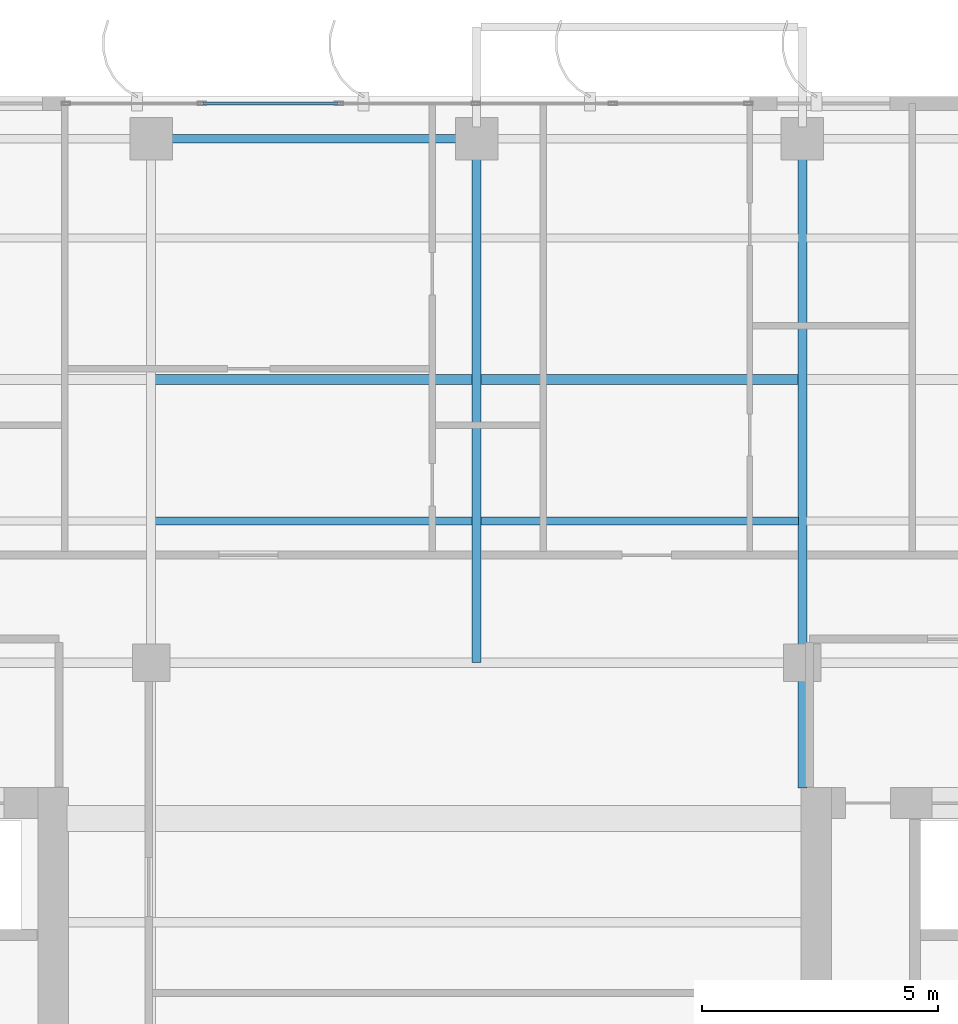
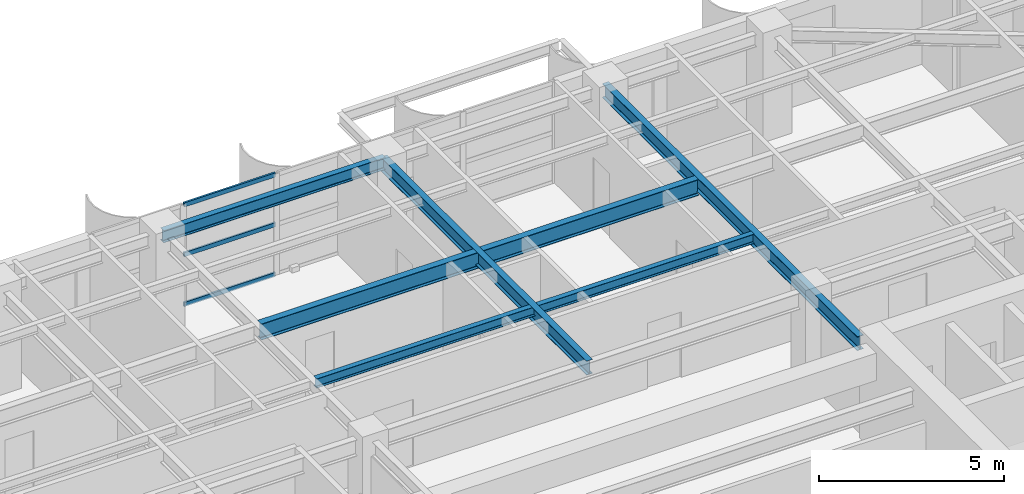
# One storey, part 13 of 23: 5 beams, 3 members, 1 element without a shape of its own.
"""IFC4 building model written with IfcOpenShell, lengths in metres."""

from ifc_helpers import new_model, si_unit, direction, frame, origin, origin_2d, place, context, subcontext, project, spatial, hollow_rectangle, i_section, extrude, source, transform, mapped, material, layer, layer_set, material_profile, profile_set, type_object, element, aggregate, save


model = new_model("IFC4")

# Units and contexts
model_context = context("Model", 3, precision=1e-05, world=origin(), true_north=direction((0.0, 1.0)))
body_context = subcontext(model_context, "Body", "Model", "MODEL_VIEW")
ifc_project = project(units=[si_unit("LENGTHUNIT", "METRE"), si_unit("AREAUNIT", "SQUARE_METRE"), si_unit("VOLUMEUNIT", "CUBIC_METRE"), si_unit("PLANEANGLEUNIT", "RADIAN"), si_unit("MASSUNIT", "GRAM", prefix="KILO")], contexts=[model_context])

# Site, building, storey
site_placement = place(None, origin())
site = spatial("IfcSite", under=ifc_project, at=site_placement, CompositionType="ELEMENT")
building_placement = place(site_placement, origin())
building = spatial("IfcBuilding", under=site, at=building_placement, Name="Khoralis Quay Care Tower", CompositionType="ELEMENT")
storey_placement = place(building_placement, frame((0.0, 0.0, 173.699951171875)))
storey = spatial("IfcBuildingStorey", under=building, at=storey_placement, Name="L45", CompositionType="ELEMENT", Elevation=173.699951171875)

# Beams
ifc_material_1 = material(Name="Steel S355", Category="steel")
ifc_material_profile_1 = material_profile(ifc_material_1, i_section(OverallWidth=0.179931640625, OverallDepth=0.39990234375, WebThickness=0.008544921875, FlangeThickness=0.013427734375, FilletRadius=0.02099609375, at=origin_2d()), Name="Steel S355")
ifc_profile_set_1 = profile_set([ifc_material_profile_1], Name="Steel S355")
beam_type_1 = type_object("IfcBeamType", Name="BM-IPE400", PredefinedType="SPANDREL", material=ifc_profile_set_1)
shared_shape_1 = source(origin(), body_context, "Body", "SweptSolid", [
    extrude(i_section(OverallWidth=0.179931640625, OverallDepth=0.39990234375, WebThickness=0.008544921875, FlangeThickness=0.013427734375, FilletRadius=0.02099609375, at=origin_2d()), origin(), (0.0, 0.0, 1.0), 6.89990234375),
])
beam_1_placement = place(storey_placement, frame((17.10009765625, 41.10009765625, 3.14013671875), z_axis=(1.0, 0.0, 0.0), x_axis=(0.0, 1.0, 0.0)))
element("IfcBeam", 1, at=beam_1_placement, inside=storey, type_object=beam_type_1, Name="BM-TSP-L45-06", PredefinedType="SPANDREL", context=body_context, shape_type="MappedRepresentation", body=[
    mapped(shared_shape_1, transform((0.0, 0.0, 0.0), scale=1.0)),
])
ifc_material_profile_2 = material_profile(ifc_material_1, i_section(OverallWidth=0.208984375, OverallDepth=0.532958984375, WebThickness=0.01025390625, FlangeThickness=0.015625, FilletRadius=0.01611328125, at=origin_2d()), Name="Steel S355")
ifc_profile_set_2 = profile_set([ifc_material_profile_2], Name="Steel S355")
beam_type_2 = type_object("IfcBeamType", Name="BM-W530X92", PredefinedType="BEAM", material=ifc_profile_set_2)
shared_shape_2 = source(origin(), body_context, "Body", "SweptSolid", [
    extrude(i_section(OverallWidth=0.208984375, OverallDepth=0.532958984375, WebThickness=0.01025390625, FlangeThickness=0.015625, FilletRadius=0.01611328125, at=origin_2d()), origin(), (0.0, 0.0, 1.0), 13.6318359375),
])
beam_2_placement = place(storey_placement, frame((17.18408203125, 36.0, 3.073486328125), z_axis=(1.0, 0.0, 0.0), x_axis=(0.0, 1.0, 0.0)))
element("IfcBeam", 2, at=beam_2_placement, inside=storey, type_object=beam_type_2, Name="BM-TGCC-L45-360", PredefinedType="BEAM", context=body_context, shape_type="MappedRepresentation", body=[
    mapped(shared_shape_2, transform((0.0, 0.0, 0.0), scale=1.0)),
])
ifc_material_profile_3 = material_profile(ifc_material_1, i_section(OverallWidth=0.19189453125, OverallDepth=0.462890625, WebThickness=0.010498046875, FlangeThickness=0.017578125, FilletRadius=0.014892578125, at=origin_2d()), Name="Steel S355")
ifc_profile_set_3 = profile_set([ifc_material_profile_3], Name="Steel S355")
beam_type_3 = type_object("IfcBeamType", Name="BM-W460X89", PredefinedType="BEAM", material=ifc_profile_set_3)
shared_shape_3 = source(origin(), body_context, "Body", "SweptSolid", [
    extrude(i_section(OverallWidth=0.19189453125, OverallDepth=0.462890625, WebThickness=0.010498046875, FlangeThickness=0.017578125, FilletRadius=0.014892578125, at=origin_2d()), origin(), (0.0, 0.0, 1.0), 11.10009765625),
])
beam_3_placement = place(storey_placement, frame((24.0, 30.0, 3.108642578125), z_axis=(0.0, 1.0, 0.0), x_axis=(-1.0, 0.0, 0.0)))
element("IfcBeam", 3, at=beam_3_placement, inside=storey, type_object=beam_type_3, Name="BM-TGYN-L45-240", PredefinedType="BEAM", context=body_context, shape_type="MappedRepresentation", body=[
    mapped(shared_shape_3, transform((0.0, 0.0, 0.0), scale=1.0)),
])
shared_shape_4 = source(origin(), body_context, "Body", "SweptSolid", [
    extrude(i_section(OverallWidth=0.19189453125, OverallDepth=0.462890625, WebThickness=0.010498046875, FlangeThickness=0.017578125, FilletRadius=0.014892578125, at=origin_2d()), origin(), (0.0, 0.0, 1.0), 13.752197265625),
])
beam_4_placement = place(storey_placement, frame((30.89990234375, 27.347900390625, 3.108642578125), z_axis=(0.0, 1.0, 0.0), x_axis=(-1.0, 0.0, 0.0)))
element("IfcBeam", 4, at=beam_4_placement, inside=storey, type_object=beam_type_3, Name="BM-TGYN-L45-309", PredefinedType="BEAM", context=body_context, shape_type="MappedRepresentation", body=[
    mapped(shared_shape_4, transform((0.0, 0.0, 0.0), scale=1.0)),
])
ifc_material_profile_4 = material_profile(ifc_material_1, i_section(OverallWidth=0.1650390625, OverallDepth=0.31005859375, WebThickness=0.005859375, FlangeThickness=0.009765625, FilletRadius=0.011962890625, at=origin_2d()), Name="Steel S355")
ifc_profile_set_4 = profile_set([ifc_material_profile_4], Name="Steel S355")
beam_type_4 = type_object("IfcBeamType", Name="BM-W310X39", PredefinedType="JOIST", material=ifc_profile_set_4)
shared_shape_5 = source(origin(), body_context, "Body", "SweptSolid", [
    extrude(i_section(OverallWidth=0.1650390625, OverallDepth=0.31005859375, WebThickness=0.005859375, FlangeThickness=0.009765625, FilletRadius=0.011962890625, at=origin_2d()), origin(), (0.0, 0.0, 1.0), 13.6318359375),
])
beam_5_placement = place(storey_placement, frame((17.18408203125, 33.0, 3.18505859375), z_axis=(1.0, 0.0, 0.0), x_axis=(0.0, 1.0, 0.0)))
element("IfcBeam", 5, at=beam_5_placement, inside=storey, type_object=beam_type_4, Name="BM-TJS-L45-28", PredefinedType="JOIST", context=body_context, shape_type="MappedRepresentation", body=[
    mapped(shared_shape_5, transform((0.0, 0.0, 0.0), scale=1.0)),
])

# Curtain wall, members
ifc_material_2 = material(Name="Pale anodised aluminium", Category="aluminium")
ifc_layer = layer(ifc_material_2, 0.159912109375)
ifc_layer_set = layer_set([ifc_layer], Name="Pale anodised aluminium")
curtain_wall_type = type_object("IfcCurtainWallType", Name="CW-SYS-Z3", PredefinedType="NOTDEFINED", material=ifc_layer_set)
curtain_wall_placement = place(storey_placement, origin())
curtain_wall = element("IfcCurtainWall", 6, at=curtain_wall_placement, inside=storey, type_object=curtain_wall_type, Name="L45 Unitised Curtain Wall CW-L45-P1-E10", PredefinedType="NOTDEFINED")
ifc_material_profile_5 = material_profile(ifc_material_2, hollow_rectangle(XDim=0.06005859375, YDim=0.139892578125, WallThickness=0.00390625, at=origin_2d()), Name="Pale anodised aluminium")
ifc_profile_set_5 = profile_set([ifc_material_profile_5], Name="Pale anodised aluminium")
member_type = type_object("IfcMemberType", Name="CW-TRN-140", PredefinedType="USERDEFINED", material=ifc_profile_set_5)
shared_shape_6 = source(origin(), body_context, "Body", "SweptSolid", [
    extrude(hollow_rectangle(XDim=0.06005859375, YDim=0.139892578125, WallThickness=0.00390625, at=origin_2d()), origin(), (0.0, 0.0, 1.0), 2.84375),
])
member_1_placement = place(storey_placement, frame((21.047607421875, 41.85009765625, 0.030029296875), z_axis=(-1.0, 0.0, 0.0), x_axis=(0.0, -1.0, 0.0)))
member_1 = element("IfcMember", 7, at=member_1_placement, type_object=member_type, Name="CW3 transom 4.1", ObjectType="TRANSOM", PredefinedType="USERDEFINED", context=body_context, shape_type="MappedRepresentation", body=[
    mapped(shared_shape_6, transform((0.0, 0.0, 0.0), scale=1.0)),
])
member_2_placement = place(storey_placement, frame((21.047607421875, 41.85009765625, 1.670166015625), z_axis=(-1.0, 0.0, 0.0), x_axis=(0.0, -1.0, 0.0)))
member_2 = element("IfcMember", 8, at=member_2_placement, type_object=member_type, Name="CW3 transom 4.2", ObjectType="TRANSOM", PredefinedType="USERDEFINED", context=body_context, shape_type="MappedRepresentation", body=[
    mapped(shared_shape_6, transform((0.0, 0.0, 0.0), scale=1.0)),
])
member_3_placement = place(storey_placement, frame((21.047607421875, 41.85009765625, 3.31005859375), z_axis=(-1.0, 0.0, 0.0), x_axis=(0.0, -1.0, 0.0)))
member_3 = element("IfcMember", 9, at=member_3_placement, type_object=member_type, Name="CW3 transom 4.3", ObjectType="TRANSOM", PredefinedType="USERDEFINED", context=body_context, shape_type="MappedRepresentation", body=[
    mapped(shared_shape_6, transform((0.0, 0.0, 0.0), scale=1.0)),
])
aggregate(curtain_wall, [member_1, member_2, member_3])

save(model, "model.ifc")
